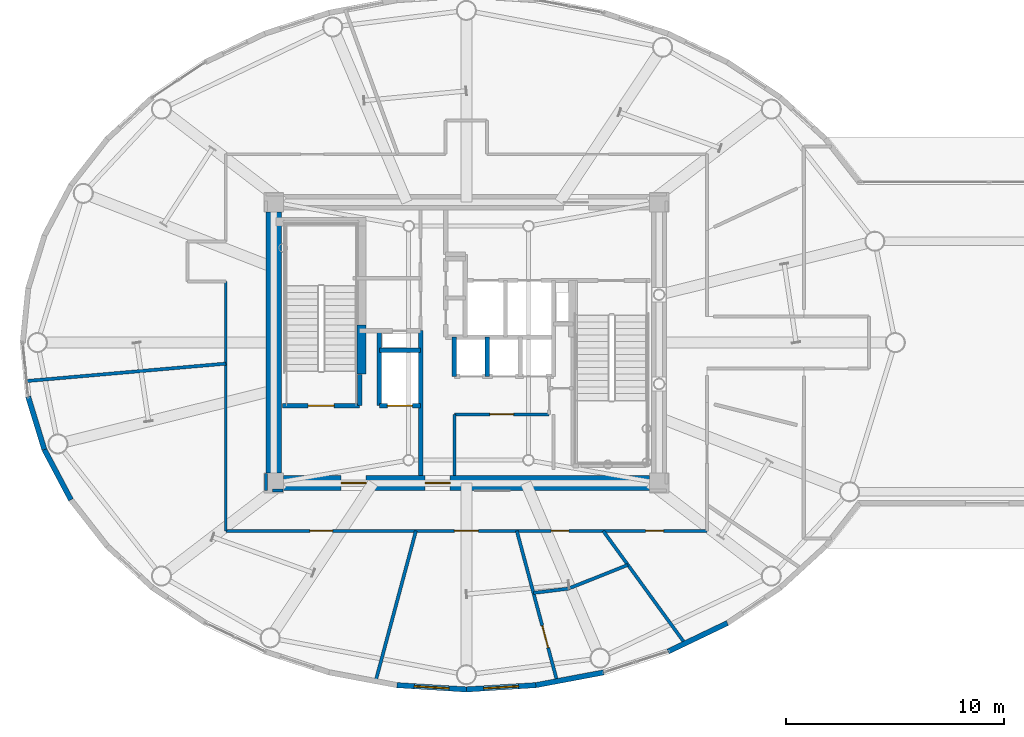
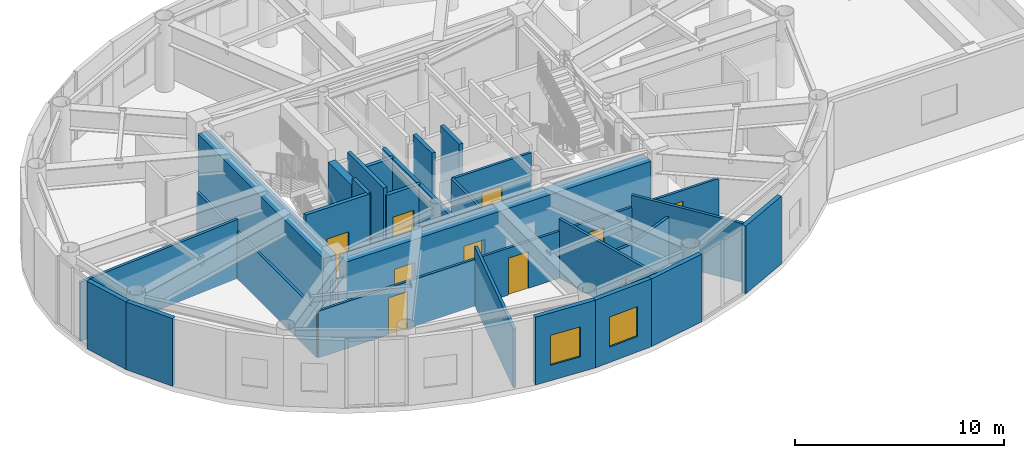
# One storey, part 16 of 26: 29 walls, 10 doors, 2 windows, 12 openings.
"""IFC4 building model written with IfcOpenShell, lengths in metres."""

from ifc_helpers import new_model, si_unit, direction, frame, frame_2d, origin, origin_2d, place, context, subcontext, project, spatial, rectangle, extrude, source, transform, mapped, material, layer, layer_set, type_object, element, fill, save


model = new_model("IFC4")

# Units and contexts
model_context = context("Model", 3, precision=1e-05, world=origin(), true_north=direction((0.0, 1.0)))
body_context = subcontext(model_context, "Body", "Model", "MODEL_VIEW")
ifc_project = project(units=[si_unit("LENGTHUNIT", "METRE"), si_unit("AREAUNIT", "SQUARE_METRE"), si_unit("VOLUMEUNIT", "CUBIC_METRE"), si_unit("PLANEANGLEUNIT", "RADIAN"), si_unit("MASSUNIT", "GRAM", prefix="KILO")], contexts=[model_context])

# Site, building, storey
site_placement = place(None, origin())
site = spatial("IfcSite", under=ifc_project, at=site_placement, CompositionType="ELEMENT")
building_placement = place(site_placement, origin())
building = spatial("IfcBuilding", under=site, at=building_placement, Name="Linh Dai School and Residence Tower", CompositionType="ELEMENT")
storey_placement = place(building_placement, frame((0.0, 0.0, 351.0)))
storey = spatial("IfcBuildingStorey", under=building, at=storey_placement, Name="L87", CompositionType="ELEMENT", Elevation=351.0)

# Walls
ifc_material_1 = material(Name="Precast Concrete B45 (C35/45)", Category="concrete")
ifc_layer_1 = layer(ifc_material_1, 0.239990234375)
ifc_layer_set_1 = layer_set([ifc_layer_1], Name="Precast Concrete B45 (C35/45)")
wall_type_1 = type_object("IfcWallType", Name="EW-TC-240", PredefinedType="SOLIDWALL", material=ifc_layer_set_1)
wall_1_placement = place(storey_placement, frame((16.618896484375, 22.086669921875, 0.0), z_axis=(0.0, 0.0, 1.0), x_axis=(-0.293105547213, 0.956080089842, 0.0)))
element("IfcWall", 1, at=wall_1_placement, inside=storey, type_object=wall_type_1, Name="L87 Terracotta Exterior Wall 22", PredefinedType="SOLIDWALL", context=body_context, shape_type="SweptSolid", body=[
    extrude(rectangle(XDim=2.5380859375, YDim=0.239990234375, at=frame_2d((1.26904296875, 0.0))), origin(), (0.0, 0.0, 1.0), 3.949951171875),
])
wall_2_placement = place(storey_placement, frame((17.839111328125, 19.779296875, 0.0), z_axis=(0.0, 0.0, 1.0), x_axis=(-0.467487999989, 0.883999417345, 0.0)))
element("IfcWall", 2, at=wall_2_placement, inside=storey, type_object=wall_type_1, Name="L87 Terracotta Exterior Wall 23", PredefinedType="SOLIDWALL", context=body_context, shape_type="SweptSolid", body=[
    extrude(rectangle(XDim=2.610107421875, YDim=0.239990234375, at=frame_2d((1.30517578125, 0.0))), origin(), (0.0, 0.0, 1.0), 3.949951171875),
])

# Wall, opening, window
wall_3_placement = place(storey_placement, frame((36.0, 11.070068359375, 0.0), z_axis=(0.0, 0.0, 1.0), x_axis=(-0.998109204399, 0.061465568355, 0.0)))
wall_3 = element("IfcWall", 3, at=wall_3_placement, inside=storey, type_object=wall_type_1, Name="L87 Terracotta Exterior Wall 30", PredefinedType="SOLIDWALL", context=body_context, shape_type="SweptSolid", body=[
    extrude(rectangle(XDim=3.197509765625, YDim=0.239990234375, at=frame_2d((1.5986328125, 0.0))), origin(), (0.0, 0.0, 1.0), 3.949951171875),
])
opening_1_placement = place(wall_3_placement, frame((0.798828125, 0.0, 0.89990234375)))
opening_1 = element("IfcOpeningElement", 4, at=opening_1_placement, cuts=wall_3, Name="Opening W2", PredefinedType="OPENING", context=body_context, shape_type="SweptSolid", body=[
    extrude(rectangle(XDim=1.60009765625, YDim=1.75, at=origin_2d()), frame((0.800048828125, 0.1298828125, 0.875), z_axis=(0.0, -1.0, 0.0), x_axis=(1.0, 0.0, 0.0)), (0.0, 0.0, 1.0), 0.260009765625),
])
ifc_material_2 = material(Name="Double Low-E Insulated Glazing", Category="glass")
window_type = type_object("IfcWindowType", Name="WN-RES-1600x1750", PartitioningType="DOUBLE_PANEL_VERTICAL", PredefinedType="WINDOW", material=ifc_material_2)
shared_shape_1 = source(origin(), body_context, "Body", "SweptSolid", [
    extrude(rectangle(XDim=1.60009765625, YDim=1.75, at=origin_2d()), frame((0.800048828125, 0.030029296875, 0.875), z_axis=(0.0, -1.0, 0.0), x_axis=(1.0, 0.0, 0.0)), (0.0, 0.0, 1.0), 0.06005859375),
])
window_1_placement = place(opening_1_placement, origin())
window_1 = element("IfcWindow", 5, at=window_1_placement, inside=storey, type_object=window_type, Name="L87 Exterior Window 30.1", OverallHeight=1.75, OverallWidth=1.60009765625, PartitioningType="DOUBLE_PANEL_VERTICAL", PredefinedType="WINDOW", context=body_context, shape_type="MappedRepresentation", body=[
    mapped(shared_shape_1, transform((0.0, 0.0, 0.0), x_axis=(1.0, 0.0, 0.0), y_axis=(0.0, 1.0, 0.0), z_axis=(0.0, 0.0, 1.0), scale=1.0)),
])
fill(opening_1, window_1)

wall_4_placement = place(storey_placement, frame((39.19140625, 11.2666015625, 0.0), z_axis=(0.0, 0.0, 1.0), x_axis=(-0.998109204399, -0.061465568355, 0.0)))
wall_4 = element("IfcWall", 6, at=wall_4_placement, inside=storey, type_object=wall_type_1, Name="L87 Terracotta Exterior Wall 31", PredefinedType="SOLIDWALL", context=body_context, shape_type="SweptSolid", body=[
    extrude(rectangle(XDim=3.197509765625, YDim=0.239990234375, at=frame_2d((1.5986328125, 0.0))), origin(), (0.0, 0.0, 1.0), 3.949951171875),
])
opening_2_placement = place(wall_4_placement, frame((0.798828125, 0.0, 0.89990234375)))
opening_2 = element("IfcOpeningElement", 7, at=opening_2_placement, cuts=wall_4, Name="Opening W2", PredefinedType="OPENING", context=body_context, shape_type="SweptSolid", body=[
    extrude(rectangle(XDim=1.60009765625, YDim=1.75, at=origin_2d()), frame((0.800048828125, 0.1298828125, 0.875), z_axis=(0.0, -1.0, 0.0), x_axis=(1.0, 0.0, 0.0)), (0.0, 0.0, 1.0), 0.260009765625),
])
window_2_placement = place(opening_2_placement, origin())
window_2 = element("IfcWindow", 8, at=window_2_placement, inside=storey, type_object=window_type, Name="L87 Exterior Window 31.1", OverallHeight=1.75, OverallWidth=1.60009765625, PartitioningType="DOUBLE_PANEL_VERTICAL", PredefinedType="WINDOW", context=body_context, shape_type="MappedRepresentation", body=[
    mapped(shared_shape_1, transform((0.0, 0.0, 0.0), x_axis=(1.0, 0.0, 0.0), y_axis=(0.0, 1.0, 0.0), z_axis=(0.0, 0.0, 1.0), scale=1.0)),
])
fill(opening_2, window_2)

# Walls
wall_5_placement = place(storey_placement, frame((42.303955078125, 11.85205078125, 0.0), z_axis=(0.0, 0.0, 1.0), x_axis=(-0.98276643264, -0.184851667226, 0.0)))
element("IfcWall", 9, at=wall_5_placement, inside=storey, type_object=wall_type_1, Name="L87 Terracotta Exterior Wall 32", PredefinedType="SOLIDWALL", context=body_context, shape_type="SweptSolid", body=[
    extrude(rectangle(XDim=3.167236328125, YDim=0.239990234375, at=frame_2d((1.58349609375, 0.0))), origin(), (0.0, 0.0, 1.0), 3.949951171875),
])
wall_6_placement = place(storey_placement, frame((47.98779296875, 14.119873046875, 0.0), z_axis=(0.0, 0.0, 1.0), x_axis=(-0.901557057889, -0.432660226241, 0.0)))
element("IfcWall", 10, at=wall_6_placement, inside=storey, type_object=wall_type_1, Name="L87 Terracotta Exterior Wall 34", PredefinedType="SOLIDWALL", context=body_context, shape_type="SweptSolid", body=[
    extrude(rectangle(XDim=3.025146484375, YDim=0.239990234375, at=frame_2d((1.5126953125, 0.0))), origin(), (0.0, 0.0, 1.0), 3.949951171875),
])
ifc_material_3 = material(Name="Autoclaved Aerated Concrete Blockwork", Category="masonry")
ifc_layer_2 = layer(ifc_material_3, 0.135009765625)
ifc_layer_set_2 = layer_set([ifc_layer_2], Name="Autoclaved Aerated Concrete Blockwork")
wall_type_2 = type_object("IfcWallType", Name="IW-CORR-135-EI90", PredefinedType="PARTITIONING", material=ifc_layer_set_2)
wall_7_placement = place(storey_placement, frame((24.949951171875, 18.35009765625, 0.0), z_axis=(0.0, 0.0, 1.0), x_axis=(0.0, 1.0, 0.0)))
element("IfcWall", 11, at=wall_7_placement, inside=storey, type_object=wall_type_2, Name="L87 Interior Partition Wall 005", PredefinedType="PARTITIONING", context=body_context, shape_type="SweptSolid", body=[
    extrude(rectangle(XDim=11.449951171875, YDim=0.135009765625, at=frame_2d((5.72509765625, 0.0))), origin(), (0.0, 0.0, 1.0), 2.735107421875),
])

# Wall, openings, doors
wall_8_placement = place(storey_placement, frame((24.949951171875, 18.35009765625, 0.0), z_axis=(0.0, 0.0, 1.0), x_axis=(1.0, 0.0, 0.0)))
wall_8 = element("IfcWall", 12, at=wall_8_placement, inside=storey, type_object=wall_type_2, Name="L87 Interior Partition Wall 006", PredefinedType="PARTITIONING", context=body_context, shape_type="SweptSolid", body=[
    extrude(rectangle(XDim=22.10009765625, YDim=0.135009765625, at=frame_2d((11.050048828125, 0.0))), origin(), (0.0, 0.0, 1.0), 2.735107421875),
])
opening_3_placement = place(wall_8_placement, frame((3.861083984375, 0.0, 0.0)))
opening_3 = element("IfcOpeningElement", 13, at=opening_3_placement, cuts=wall_8, Name="Opening D04", PredefinedType="OPENING", context=body_context, shape_type="SweptSolid", body=[
    extrude(rectangle(XDim=1.050048828125, YDim=2.14990234375, at=origin_2d()), frame((0.52490234375, 0.07763671875, 1.074951171875), z_axis=(0.0, -1.0, 0.0), x_axis=(1.0, 0.0, 0.0)), (0.0, 0.0, 1.0), 0.155029296875),
])
opening_4_placement = place(wall_8_placement, frame((10.5, 0.0, 0.0)))
opening_4 = element("IfcOpeningElement", 14, at=opening_4_placement, cuts=wall_8, Name="Opening D07", PredefinedType="OPENING", context=body_context, shape_type="SweptSolid", body=[
    extrude(rectangle(XDim=1.10009765625, YDim=2.14990234375, at=origin_2d()), frame((0.550048828125, 0.07763671875, 1.074951171875), z_axis=(0.0, -1.0, 0.0), x_axis=(1.0, 0.0, 0.0)), (0.0, 0.0, 1.0), 0.155029296875),
])
opening_5_placement = place(wall_8_placement, frame((14.941162109375, 0.0, 0.0)))
opening_5 = element("IfcOpeningElement", 15, at=opening_5_placement, cuts=wall_8, Name="Opening D06", PredefinedType="OPENING", context=body_context, shape_type="SweptSolid", body=[
    extrude(rectangle(XDim=0.820068359375, YDim=2.10009765625, at=origin_2d()), frame((0.41015625, 0.07763671875, 1.050048828125), z_axis=(0.0, -1.0, 0.0), x_axis=(1.0, 0.0, 0.0)), (0.0, 0.0, 1.0), 0.155029296875),
])
opening_6_placement = place(wall_8_placement, frame((19.287353515625, 0.0, 0.0)))
opening_6 = element("IfcOpeningElement", 16, at=opening_6_placement, cuts=wall_8, Name="Opening D06", PredefinedType="OPENING", context=body_context, shape_type="SweptSolid", body=[
    extrude(rectangle(XDim=0.820068359375, YDim=2.10009765625, at=origin_2d()), frame((0.41015625, 0.07763671875, 1.050048828125), z_axis=(0.0, -1.0, 0.0), x_axis=(1.0, 0.0, 0.0)), (0.0, 0.0, 1.0), 0.155029296875),
])
ifc_material_4 = material(Name="Acoustic Vision-Panel Timber Classroom Door", Category="wood")
door_type_1 = type_object("IfcDoorType", Name="DR-SCH-1050x2150-FD60S", OperationType="NOTDEFINED", PredefinedType="DOOR", material=ifc_material_4)
shared_shape_2 = source(origin(), body_context, "Body", "SweptSolid", [
    extrude(rectangle(XDim=1.050048828125, YDim=2.14990234375, at=origin_2d()), frame((0.52490234375, 0.02490234375, 1.074951171875), z_axis=(0.0, -1.0, 0.0), x_axis=(1.0, 0.0, 0.0)), (0.0, 0.0, 1.0), 0.050048828125),
])
door_1_placement = place(opening_3_placement, origin())
door_1 = element("IfcDoor", 17, at=door_1_placement, inside=storey, type_object=door_type_1, Name="L87 Vietnamese Tea Ceremony Pavilion Room Door", OperationType="SINGLE_SWING_RIGHT", OverallHeight=2.14990234375, OverallWidth=1.050048828125, PredefinedType="DOOR", context=body_context, shape_type="MappedRepresentation", body=[
    mapped(shared_shape_2, transform((0.0, 0.0, 0.0), x_axis=(1.0, 0.0, 0.0), y_axis=(0.0, 1.0, 0.0), z_axis=(0.0, 0.0, 1.0), scale=1.0)),
])
fill(opening_3, door_1)
ifc_material_5 = material(Name="Moisture-Resistant Timber Bathroom Door", Category="wood")
door_type_2 = type_object("IfcDoorType", Name="DR-WET-820x2100", OperationType="NOTDEFINED", PredefinedType="DOOR", material=ifc_material_5)
shared_shape_3 = source(origin(), body_context, "Body", "SweptSolid", [
    extrude(rectangle(XDim=0.820068359375, YDim=2.10009765625, at=origin_2d()), frame((0.41015625, 0.02490234375, 1.050048828125), z_axis=(0.0, -1.0, 0.0), x_axis=(1.0, 0.0, 0.0)), (0.0, 0.0, 1.0), 0.050048828125),
])
door_2_placement = place(opening_5_placement, origin())
door_2 = element("IfcDoor", 18, at=door_2_placement, inside=storey, type_object=door_type_2, Name="L87 Observatory Male WC Door", OperationType="SINGLE_SWING_RIGHT", OverallHeight=2.10009765625, OverallWidth=0.820068359375, PredefinedType="DOOR", context=body_context, shape_type="MappedRepresentation", body=[
    mapped(shared_shape_3, transform((0.0, 0.0, 0.0), x_axis=(1.0, 0.0, 0.0), y_axis=(0.0, 1.0, 0.0), z_axis=(0.0, 0.0, 1.0), scale=1.0)),
])
fill(opening_5, door_2)
door_3_placement = place(opening_6_placement, origin())
door_3 = element("IfcDoor", 19, at=door_3_placement, inside=storey, type_object=door_type_2, Name="L87 Observatory Female WC Door", OperationType="SINGLE_SWING_RIGHT", OverallHeight=2.10009765625, OverallWidth=0.820068359375, PredefinedType="DOOR", context=body_context, shape_type="MappedRepresentation", body=[
    mapped(shared_shape_3, transform((0.0, 0.0, 0.0), x_axis=(1.0, 0.0, 0.0), y_axis=(0.0, 1.0, 0.0), z_axis=(0.0, 0.0, 1.0), scale=1.0)),
])
fill(opening_6, door_3)
ifc_material_6 = material(Name="Fire-Rated Louvred Steel Plant Door", Category="steel")
door_type_3 = type_object("IfcDoorType", Name="DR-PLT-1100x2150-FD60S", OperationType="NOTDEFINED", PredefinedType="DOOR", material=ifc_material_6)
shared_shape_4 = source(origin(), body_context, "Body", "SweptSolid", [
    extrude(rectangle(XDim=1.10009765625, YDim=2.14990234375, at=origin_2d()), frame((0.550048828125, 0.02490234375, 1.074951171875), z_axis=(0.0, -1.0, 0.0), x_axis=(1.0, 0.0, 0.0)), (0.0, 0.0, 1.0), 0.050048828125),
])
door_4_placement = place(opening_4_placement, origin())
door_4 = element("IfcDoor", 20, at=door_4_placement, inside=storey, type_object=door_type_3, Name="L87 Observatory Audio-Visual Control Room Door", OperationType="SINGLE_SWING_LEFT", OverallHeight=2.14990234375, OverallWidth=1.10009765625, PredefinedType="DOOR", context=body_context, shape_type="MappedRepresentation", body=[
    mapped(shared_shape_4, transform((0.0, 0.0, 0.0), x_axis=(1.0, 0.0, 0.0), y_axis=(0.0, 1.0, 0.0), z_axis=(0.0, 0.0, 1.0), scale=1.0)),
])
fill(opening_4, door_4)

# Wall
wall_9_placement = place(storey_placement, frame((35.449951171875, 20.89990234375, 0.0), z_axis=(0.0, 0.0, 1.0), x_axis=(0.0, 1.0, 0.0)))
element("IfcWall", 21, at=wall_9_placement, inside=storey, type_object=wall_type_2, Name="L87 Interior Partition Wall 028", PredefinedType="PARTITIONING", context=body_context, shape_type="SweptSolid", body=[
    extrude(rectangle(XDim=2.800048828125, YDim=0.135009765625, at=frame_2d((1.39990234375, 0.0))), origin(), (0.0, 0.0, 1.0), 3.534912109375),
])

# Wall, opening, door
wall_10_placement = place(storey_placement, frame((35.449951171875, 23.699951171875, 0.0), z_axis=(0.0, 0.0, 1.0), x_axis=(1.0, 0.0, 0.0)))
wall_10 = element("IfcWall", 22, at=wall_10_placement, inside=storey, type_object=wall_type_2, Name="L87 Interior Partition Wall 029", PredefinedType="PARTITIONING", context=body_context, shape_type="SweptSolid", body=[
    extrude(rectangle(XDim=4.35009765625, YDim=0.135009765625, at=frame_2d((2.175048828125, 0.0))), origin(), (0.0, 0.0, 1.0), 3.534912109375),
])
opening_7_placement = place(wall_10_placement, frame((1.625, 0.0, 0.0)))
opening_7 = element("IfcOpeningElement", 23, at=opening_7_placement, cuts=wall_10, Name="Opening D07", PredefinedType="OPENING", context=body_context, shape_type="SweptSolid", body=[
    extrude(rectangle(XDim=1.10009765625, YDim=2.14990234375, at=origin_2d()), frame((0.550048828125, 0.07763671875, 1.074951171875), z_axis=(0.0, -1.0, 0.0), x_axis=(1.0, 0.0, 0.0)), (0.0, 0.0, 1.0), 0.155029296875),
])
door_5_placement = place(opening_7_placement, origin())
door_5 = element("IfcDoor", 24, at=door_5_placement, inside=storey, type_object=door_type_3, Name="L87 Tenant Metering and BMS Room Door", OperationType="SINGLE_SWING_RIGHT", OverallHeight=2.14990234375, OverallWidth=1.10009765625, PredefinedType="DOOR", context=body_context, shape_type="MappedRepresentation", body=[
    mapped(shared_shape_4, transform((0.0, 0.0, 0.0), x_axis=(1.0, 0.0, 0.0), y_axis=(0.0, 1.0, 0.0), z_axis=(0.0, 0.0, 1.0), scale=1.0)),
])
fill(opening_7, door_5)

# Walls
wall_11_placement = place(storey_placement, frame((26.800048828125, 20.989990234375, 0.0), z_axis=(0.0, 0.0, 1.0), x_axis=(0.0, -1.0, 0.0)))
element("IfcWall", 25, at=wall_11_placement, inside=storey, type_object=wall_type_2, Name="L87 Interior Partition Wall 068", PredefinedType="PARTITIONING", context=body_context, shape_type="SweptSolid", body=[
    extrude(rectangle(XDim=0.7900390625, YDim=0.135009765625, at=frame_2d((0.39501953125, 0.0))), origin(), (0.0, 0.0, 1.0), 2.735107421875),
])
wall_12_placement = place(storey_placement, frame((27.107421875, 20.199951171875, 0.0), z_axis=(0.0, 0.0, 1.0), x_axis=(1.0, 0.0, 0.0)))
element("IfcWall", 26, at=wall_12_placement, inside=storey, type_object=wall_type_2, Name="L87 Interior Partition Wall 069", PredefinedType="PARTITIONING", context=body_context, shape_type="SweptSolid", body=[
    extrude(rectangle(XDim=0.482666015625, YDim=0.135009765625, at=frame_2d((0.2412109375, 0.0))), origin(), (0.0, 0.0, 1.0), 2.735107421875),
])
ifc_layer_3 = layer(ifc_material_3, 0.14990234375)
ifc_layer_set_3 = layer_set([ifc_layer_3], Name="Autoclaved Aerated Concrete Blockwork")
wall_type_3 = type_object("IfcWallType", Name="IW-SCH-150-EI60", PredefinedType="PARTITIONING", material=ifc_layer_set_3)
wall_13_placement = place(storey_placement, frame((15.797607421875, 25.232421875, 0.0), z_axis=(0.0, 0.0, 1.0), x_axis=(0.996194178988, 0.087161675925, 0.0)))
element("IfcWall", 27, at=wall_13_placement, inside=storey, type_object=wall_type_3, Name="L87 Interior Partition Wall 001", PredefinedType="PARTITIONING", context=body_context, shape_type="SweptSolid", body=[
    extrude(rectangle(XDim=9.187255859375, YDim=0.14990234375, at=frame_2d((4.59375, 0.0))), origin(), (0.0, 0.0, 1.0), 3.43505859375),
])
wall_14_placement = place(storey_placement, frame((31.83203125, 11.4453125, 0.0), z_axis=(0.0, 0.0, 1.0), x_axis=(0.258814613862, 0.965927013625, 0.0)))
element("IfcWall", 28, at=wall_14_placement, inside=storey, type_object=wall_type_3, Name="L87 Interior Partition Wall 014", PredefinedType="PARTITIONING", context=body_context, shape_type="SweptSolid", body=[
    extrude(rectangle(XDim=7.1484375, YDim=0.14990234375, at=frame_2d((3.57421875, 0.0))), origin(), (0.0, 0.0, 1.0), 3.43505859375),
])

# Wall, opening, door
wall_15_placement = place(storey_placement, frame((38.31787109375, 18.35009765625, 0.0), z_axis=(0.0, 0.0, 1.0), x_axis=(0.258814613862, -0.965927013625, 0.0)))
wall_15 = element("IfcWall", 29, at=wall_15_placement, inside=storey, type_object=wall_type_3, Name="L87 Interior Partition Wall 038", PredefinedType="PARTITIONING", context=body_context, shape_type="SweptSolid", body=[
    extrude(rectangle(XDim=7.1484375, YDim=0.14990234375, at=frame_2d((3.57421875, 0.0))), origin(), (0.0, 0.0, 1.0), 3.43505859375),
])
opening_8_placement = place(wall_15_placement, frame((4.503662109375, 0.0, 0.0)))
opening_8 = element("IfcOpeningElement", 30, at=opening_8_placement, cuts=wall_15, Name="Opening D04", PredefinedType="OPENING", context=body_context, shape_type="SweptSolid", body=[
    extrude(rectangle(XDim=1.050048828125, YDim=2.14990234375, at=origin_2d()), frame((0.52490234375, 0.0849609375, 1.074951171875), z_axis=(0.0, -1.0, 0.0), x_axis=(1.0, 0.0, 0.0)), (0.0, 0.0, 1.0), 0.169921875),
])
door_6_placement = place(opening_8_placement, origin())
door_6 = element("IfcDoor", 31, at=door_6_placement, inside=storey, type_object=door_type_1, Name="L87 Sky Viewing Alcove MWC Door", OperationType="SINGLE_SWING_LEFT", OverallHeight=2.14990234375, OverallWidth=1.050048828125, PredefinedType="DOOR", context=body_context, shape_type="MappedRepresentation", body=[
    mapped(shared_shape_2, transform((0.0, 0.0, 0.0), x_axis=(1.0, 0.0, 0.0), y_axis=(0.0, 1.0, 0.0), z_axis=(0.0, 0.0, 1.0), scale=1.0)),
])
fill(opening_8, door_6)

# Walls
wall_16_placement = place(storey_placement, frame((39.0810546875, 15.50146484375, 0.0), z_axis=(0.0, 0.0, 1.0), x_axis=(0.992400347359, 0.123051007969, 0.0)))
element("IfcWall", 32, at=wall_16_placement, inside=storey, type_object=wall_type_3, Name="L87 Interior Partition Wall 040", PredefinedType="PARTITIONING", context=body_context, shape_type="SweptSolid", body=[
    extrude(rectangle(XDim=1.618896484375, YDim=0.14990234375, at=frame_2d((0.8095703125, 0.0))), origin(), (0.0, 0.0, 1.0), 2.735107421875),
])
wall_17_placement = place(storey_placement, frame((40.687744140625, 15.70068359375, 0.0), z_axis=(0.0, 0.0, 1.0), x_axis=(0.928768516989, 0.370660278219, 0.0)))
element("IfcWall", 33, at=wall_17_placement, inside=storey, type_object=wall_type_3, Name="L87 Interior Partition Wall 045", PredefinedType="PARTITIONING", context=body_context, shape_type="SweptSolid", body=[
    extrude(rectangle(XDim=2.939697265625, YDim=0.14990234375, at=frame_2d((1.4697265625, 0.0))), origin(), (0.0, 0.0, 1.0), 2.735107421875),
])
wall_18_placement = place(storey_placement, frame((42.28466796875, 18.35009765625, 0.0), z_axis=(0.0, 0.0, 1.0), x_axis=(0.587760469668, -0.809034999426, 0.0)))
element("IfcWall", 34, at=wall_18_placement, inside=storey, type_object=wall_type_3, Name="L87 Interior Partition Wall 048", PredefinedType="PARTITIONING", context=body_context, shape_type="SweptSolid", body=[
    extrude(rectangle(XDim=6.390625, YDim=0.14990234375, at=frame_2d((3.1953125, 0.0))), origin(), (0.0, 0.0, 1.0), 3.43505859375),
])

# Wall, opening, door
ifc_material_7 = material(Name="Concrete B45 (C35/45)", Category="concrete")
ifc_layer_4 = layer(ifc_material_7, 0.199951171875)
ifc_layer_set_4 = layer_set([ifc_layer_4], Name="Concrete B45 (C35/45)")
wall_type_4 = type_object("IfcWallType", Name="IW-SHAFT-200-EI120", PredefinedType="PARTITIONING", material=ifc_layer_set_4)
wall_19_placement = place(storey_placement, frame((27.56005859375, 24.10009765625, 0.0), z_axis=(0.0, 0.0, 1.0), x_axis=(1.0, 0.0, 0.0)))
wall_19 = element("IfcWall", 35, at=wall_19_placement, inside=storey, type_object=wall_type_4, Name="L87 Interior Partition Wall 009", PredefinedType="PARTITIONING", context=body_context, shape_type="SweptSolid", body=[
    extrude(rectangle(XDim=3.5400390625, YDim=0.199951171875, at=frame_2d((1.77001953125, 0.0))), origin(), (0.0, 0.0, 1.0), 3.949951171875),
])
opening_9_placement = place(wall_19_placement, frame((1.169921875, 0.0, 0.0)))
opening_9 = element("IfcOpeningElement", 36, at=opening_9_placement, cuts=wall_19, Name="Opening D01", PredefinedType="OPENING", context=body_context, shape_type="SweptSolid", body=[
    extrude(rectangle(XDim=1.199951171875, YDim=2.14990234375, at=origin_2d()), frame((0.60009765625, 0.10986328125, 1.074951171875), z_axis=(0.0, -1.0, 0.0), x_axis=(1.0, 0.0, 0.0)), (0.0, 0.0, 1.0), 0.219970703125),
])
ifc_material_8 = material(Name="Fire-Rated Steel Door Leaf", Category="steel")
door_type_4 = type_object("IfcDoorType", Name="DR-STAIR-1200x2150-FD90S", OperationType="NOTDEFINED", PredefinedType="DOOR", material=ifc_material_8)
shared_shape_5 = source(origin(), body_context, "Body", "SweptSolid", [
    extrude(rectangle(XDim=1.199951171875, YDim=2.14990234375, at=origin_2d()), frame((0.60009765625, 0.02490234375, 1.074951171875), z_axis=(0.0, -1.0, 0.0), x_axis=(1.0, 0.0, 0.0)), (0.0, 0.0, 1.0), 0.050048828125),
])
door_7_placement = place(opening_9_placement, origin())
door_7 = element("IfcDoor", 37, at=door_7_placement, inside=storey, type_object=door_type_4, Name="L87 Core Smokeproof Exit Stair ST1 Door", OperationType="SINGLE_SWING_RIGHT", OverallHeight=2.14990234375, OverallWidth=1.199951171875, PredefinedType="DOOR", context=body_context, shape_type="MappedRepresentation", body=[
    mapped(shared_shape_5, transform((0.0, 0.0, 0.0), x_axis=(1.0, 0.0, 0.0), y_axis=(0.0, 1.0, 0.0), z_axis=(0.0, 0.0, 1.0), scale=1.0)),
])
fill(opening_9, door_7)

# Walls
wall_20_placement = place(storey_placement, frame((31.10009765625, 24.10009765625, 0.0), z_axis=(0.0, 0.0, 1.0), x_axis=(0.0, 1.0, 0.0)))
element("IfcWall", 38, at=wall_20_placement, inside=storey, type_object=wall_type_4, Name="L87 Interior Partition Wall 012", PredefinedType="PARTITIONING", context=body_context, shape_type="SweptSolid", body=[
    extrude(rectangle(XDim=1.43994140625, YDim=0.199951171875, at=frame_2d((0.719970703125, 0.0))), origin(), (0.0, 0.0, 1.0), 3.949951171875),
])
wall_21_placement = place(storey_placement, frame((32.0, 24.10009765625, 0.0), z_axis=(0.0, 0.0, 1.0), x_axis=(0.0, 1.0, 0.0)))
element("IfcWall", 39, at=wall_21_placement, inside=storey, type_object=wall_type_4, Name="L87 Interior Partition Wall 015", PredefinedType="PARTITIONING", context=body_context, shape_type="SweptSolid", body=[
    extrude(rectangle(XDim=3.449951171875, YDim=0.199951171875, at=frame_2d((1.72509765625, 0.0))), origin(), (0.0, 0.0, 1.0), 3.949951171875),
])

# Wall, opening, door
wall_22_placement = place(storey_placement, frame((32.0, 24.10009765625, 0.0), z_axis=(0.0, 0.0, 1.0), x_axis=(1.0, 0.0, 0.0)))
wall_22 = element("IfcWall", 40, at=wall_22_placement, inside=storey, type_object=wall_type_4, Name="L87 Interior Partition Wall 016", PredefinedType="PARTITIONING", context=body_context, shape_type="SweptSolid", body=[
    extrude(rectangle(XDim=1.89990234375, YDim=0.199951171875, at=frame_2d((0.949951171875, 0.0))), origin(), (0.0, 0.0, 1.0), 3.534912109375),
])
opening_10_placement = place(wall_22_placement, frame((0.375, 0.0, 0.0)))
opening_10 = element("IfcOpeningElement", 41, at=opening_10_placement, cuts=wall_22, Name="Opening LD-FF2", PredefinedType="OPENING", context=body_context, shape_type="SweptSolid", body=[
    extrude(rectangle(XDim=1.14990234375, YDim=2.14990234375, at=origin_2d()), frame((0.574951171875, 0.10986328125, 1.074951171875), z_axis=(0.0, -1.0, 0.0), x_axis=(1.0, 0.0, 0.0)), (0.0, 0.0, 1.0), 0.219970703125),
])
ifc_material_9 = material(Name="Fire-Rated Stainless Steel Firefighting Lift Door", Category="steel")
door_type_5 = type_object("IfcDoorType", Name="DR-LD-FF-1150x2150-FD120", OperationType="DOUBLE_DOOR_SLIDING", PredefinedType="USERDEFINED", material=ifc_material_9)
shared_shape_6 = source(origin(), body_context, "Body", "SweptSolid", [
    extrude(rectangle(XDim=1.14990234375, YDim=2.14990234375, at=origin_2d()), frame((0.574951171875, 0.02490234375, 1.074951171875), z_axis=(0.0, -1.0, 0.0), x_axis=(1.0, 0.0, 0.0)), (0.0, 0.0, 1.0), 0.050048828125),
])
door_8_placement = place(opening_10_placement, origin())
door_8 = element("IfcDoor", 42, at=door_8_placement, inside=storey, type_object=door_type_5, Name="L87 Lift FF2 Sliding Landing Door", ObjectType="LANDING DOOR", OperationType="DOUBLE_DOOR_SLIDING", OverallHeight=2.14990234375, OverallWidth=1.14990234375, PredefinedType="USERDEFINED", context=body_context, shape_type="MappedRepresentation", body=[
    mapped(shared_shape_6, transform((0.0, 0.0, 0.0), x_axis=(1.0, 0.0, 0.0), y_axis=(0.0, 1.0, 0.0), z_axis=(0.0, 0.0, 1.0), scale=1.0)),
])
fill(opening_10, door_8)

# Walls
wall_23_placement = place(storey_placement, frame((32.0, 26.64990234375, 0.0), z_axis=(0.0, 0.0, 1.0), x_axis=(1.0, 0.0, 0.0)))
element("IfcWall", 43, at=wall_23_placement, inside=storey, type_object=wall_type_4, Name="L87 Interior Partition Wall 017", PredefinedType="PARTITIONING", context=body_context, shape_type="SweptSolid", body=[
    extrude(rectangle(XDim=1.89990234375, YDim=0.199951171875, at=frame_2d((0.949951171875, 0.0))), origin(), (0.0, 0.0, 1.0), 3.534912109375),
])
wall_24_placement = place(storey_placement, frame((33.89990234375, 20.89990234375, 0.0), z_axis=(0.0, 0.0, 1.0), x_axis=(0.0, 1.0, 0.0)))
element("IfcWall", 44, at=wall_24_placement, inside=storey, type_object=wall_type_4, Name="L87 Interior Partition Wall 018", PredefinedType="PARTITIONING", context=body_context, shape_type="SweptSolid", body=[
    extrude(rectangle(XDim=6.650146484375, YDim=0.199951171875, at=frame_2d((3.3251953125, 0.0))), origin(), (0.0, 0.0, 1.0), 3.534912109375),
])
for number, where, z_axis, x_axis, name in (
    (45, (35.449951171875, 25.449951171875, 0.0), (0.0, 0.0, 1.0), (0.0, 1.0, 0.0), "L87 Interior Partition Wall 030"),
    (46, (36.9599609375, 25.449951171875, 0.0), (0.0, 0.0, 1.0), (0.0, 1.0, 0.0), "L87 Interior Partition Wall 036"),
):
    element("IfcWall", number, at=place(storey_placement, frame(where, z_axis=z_axis, x_axis=x_axis)), inside=storey, type_object=wall_type_4, Name=name, PredefinedType="PARTITIONING", context=body_context, shape_type="SweptSolid", body=[
        extrude(rectangle(XDim=1.800048828125, YDim=0.199951171875, at=frame_2d((0.89990234375, 0.0))), origin(), (0.0, 0.0, 1.0), 3.949951171875),
    ])
ifc_layer_5 = layer(ifc_material_7, 0.39990234375)
ifc_layer_set_5 = layer_set([ifc_layer_5], Name="Concrete B45 (C35/45)")
wall_type_5 = type_object("IfcWallType", Name="WL-CORE400", PredefinedType="SHEAR", material=ifc_layer_set_5)
wall_25_placement = place(storey_placement, frame((31.179931640625, 25.550048828125, 0.0), z_axis=(0.0, 0.0, 1.0), x_axis=(0.0, 1.0, 0.0)))
element("IfcWall", 47, at=wall_25_placement, inside=storey, type_object=wall_type_5, Name="L87 Internal Core Shear Wall IW", PredefinedType="SHEAR", context=body_context, shape_type="SweptSolid", body=[
    extrude(rectangle(XDim=2.25, YDim=0.39990234375, at=frame_2d((1.125, 0.0))), origin(), (0.0, 0.0, 1.0), 3.550048828125),
])

# Wall, openings, doors
ifc_layer_6 = layer(ifc_material_7, 0.699951171875)
ifc_layer_set_6 = layer_set([ifc_layer_6], Name="Concrete B45 (C35/45)")
wall_type_6 = type_object("IfcWallType", Name="WL-CORE700", PredefinedType="SHEAR", material=ifc_layer_set_6)
wall_26_placement = place(storey_placement, frame((44.39990234375, 20.550048828125, 0.0), z_axis=(0.0, 0.0, 1.0), x_axis=(-1.0, 0.0, 0.0)))
wall_26 = element("IfcWall", 48, at=wall_26_placement, inside=storey, type_object=wall_type_6, Name="L87 Central Core Shear Wall S", PredefinedType="SHEAR", context=body_context, shape_type="SweptSolid", body=[
    extrude(rectangle(XDim=16.7998046875, YDim=0.699951171875, at=frame_2d((8.39990234375, 0.0))), origin(), (0.0, 0.0, 1.0), 3.5),
])
opening_11_placement = place(wall_26_placement, frame((13.0, 0.0, 0.0)))
opening_11 = element("IfcOpeningElement", 49, at=opening_11_placement, cuts=wall_26, Name="Opening D02", PredefinedType="OPENING", context=body_context, shape_type="SweptSolid", body=[
    extrude(rectangle(XDim=1.14990234375, YDim=2.14990234375, at=origin_2d()), frame((0.574951171875, 0.35986328125, 1.074951171875), z_axis=(0.0, -1.0, 0.0), x_axis=(1.0, 0.0, 0.0)), (0.0, 0.0, 1.0), 0.719970703125),
])
opening_12_placement = place(wall_26_placement, frame((9.14990234375, 0.0, 0.0)))
opening_12 = element("IfcOpeningElement", 50, at=opening_12_placement, cuts=wall_26, Name="Opening D02", PredefinedType="OPENING", context=body_context, shape_type="SweptSolid", body=[
    extrude(rectangle(XDim=1.14990234375, YDim=2.14990234375, at=origin_2d()), frame((0.574951171875, 0.35986328125, 1.074951171875), z_axis=(0.0, -1.0, 0.0), x_axis=(1.0, 0.0, 0.0)), (0.0, 0.0, 1.0), 0.719970703125),
])
ifc_material_10 = material(Name="Fire-Rated Glazed Steel Lobby Door", Category="steel")
door_type_6 = type_object("IfcDoorType", Name="DR-LOBBY-1150x2150-FD90S", OperationType="NOTDEFINED", PredefinedType="DOOR", material=ifc_material_10)
shared_shape_7 = source(origin(), body_context, "Body", "SweptSolid", [
    extrude(rectangle(XDim=1.14990234375, YDim=2.14990234375, at=origin_2d()), frame((0.574951171875, 0.02490234375, 1.074951171875), z_axis=(0.0, -1.0, 0.0), x_axis=(1.0, 0.0, 0.0)), (0.0, 0.0, 1.0), 0.050048828125),
])
door_9_placement = place(opening_11_placement, origin())
door_9 = element("IfcDoor", 51, at=door_9_placement, inside=storey, type_object=door_type_6, Name="L87 Firefighting Lobby Door", OperationType="SINGLE_SWING_LEFT", OverallHeight=2.14990234375, OverallWidth=1.14990234375, PredefinedType="DOOR", context=body_context, shape_type="MappedRepresentation", body=[
    mapped(shared_shape_7, transform((0.0, 0.0, 0.0), x_axis=(1.0, 0.0, 0.0), y_axis=(0.0, 1.0, 0.0), z_axis=(0.0, 0.0, 1.0), scale=1.0)),
])
fill(opening_11, door_9)
door_10_placement = place(opening_12_placement, origin())
door_10 = element("IfcDoor", 52, at=door_10_placement, inside=storey, type_object=door_type_6, Name="L87 Passenger Foyer Access Door", OperationType="SINGLE_SWING_LEFT", OverallHeight=2.14990234375, OverallWidth=1.14990234375, PredefinedType="DOOR", context=body_context, shape_type="MappedRepresentation", body=[
    mapped(shared_shape_7, transform((0.0, 0.0, 0.0), x_axis=(1.0, 0.0, 0.0), y_axis=(0.0, 1.0, 0.0), z_axis=(0.0, 0.0, 1.0), scale=1.0)),
])
fill(opening_12, door_10)

# Wall
wall_27_placement = place(storey_placement, frame((27.14990234375, 21.0, 0.0), z_axis=(0.0, 0.0, 1.0), x_axis=(0.0, 1.0, 0.0)))
element("IfcWall", 53, at=wall_27_placement, inside=storey, type_object=wall_type_6, Name="L87 Central Core Shear Wall W", PredefinedType="SHEAR", context=body_context, shape_type="SweptSolid", body=[
    extrude(rectangle(XDim=12.0, YDim=0.699951171875, at=frame_2d((6.0, 0.0))), origin(), (0.0, 0.0, 1.0), 3.5),
])

save(model, "model.ifc")
